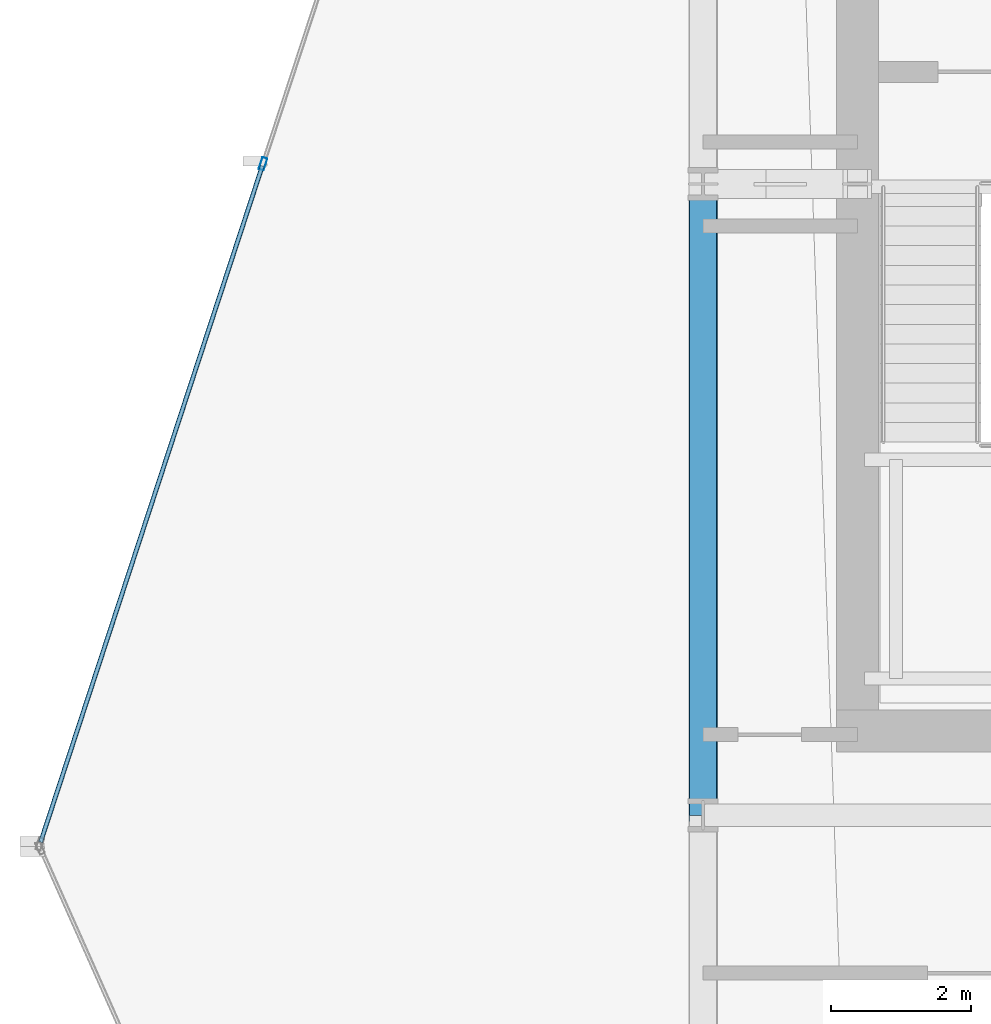
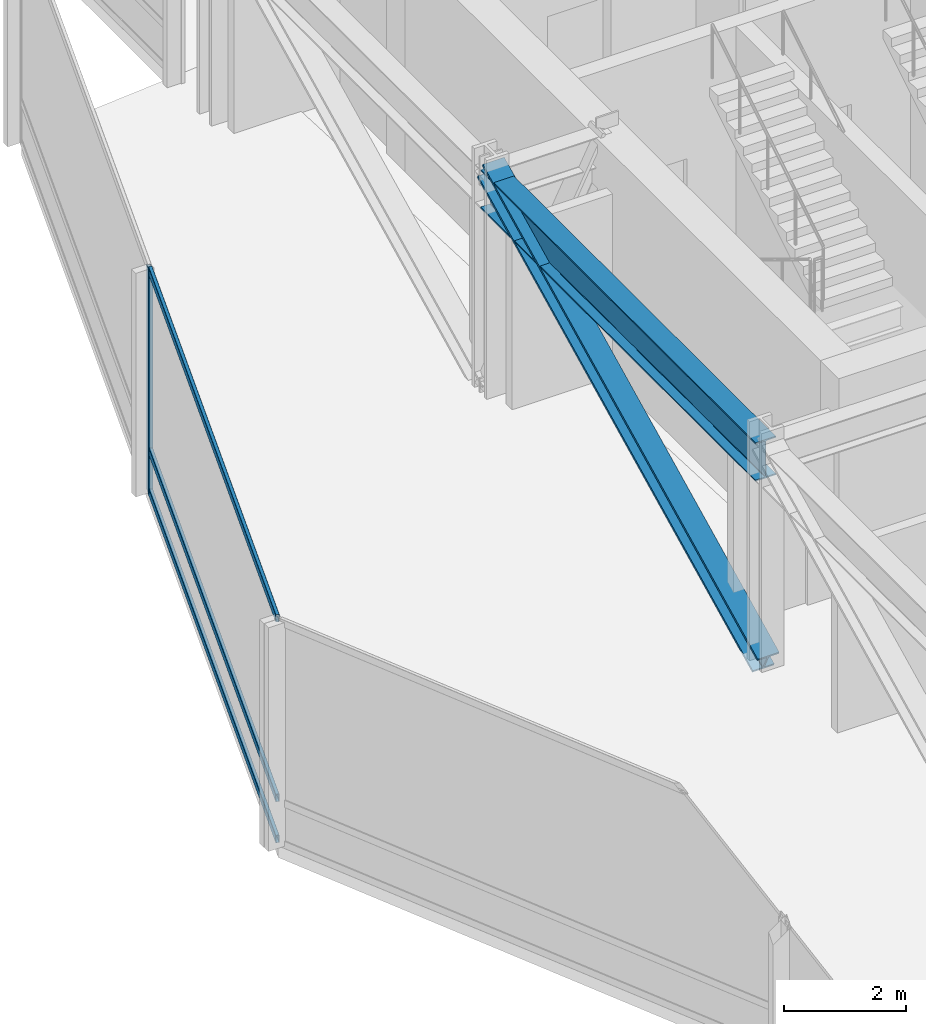
# One storey, part 19 of 42: 5 members, 1 beam, 1 element without a shape of its own.
"""IFC4 building model written with IfcOpenShell, lengths in metres."""

from ifc_helpers import new_model, si_unit, direction, frame, origin, origin_2d, place, context, subcontext, project, spatial, hollow_rectangle, i_section, extrude, material, layer, layer_set, material_profile, profile_set, type_object, element, aggregate, save


model = new_model("IFC4")

# Units and contexts
model_context = context("Model", 3, precision=1e-05, world=origin(), true_north=direction((0.0, 1.0)))
body_context = subcontext(model_context, "Body", "Model", "MODEL_VIEW")
ifc_project = project(units=[si_unit("LENGTHUNIT", "METRE"), si_unit("AREAUNIT", "SQUARE_METRE"), si_unit("VOLUMEUNIT", "CUBIC_METRE"), si_unit("PLANEANGLEUNIT", "RADIAN"), si_unit("MASSUNIT", "GRAM", prefix="KILO")], contexts=[model_context])

# Site, building, storey
site_placement = place(None, origin())
site = spatial("IfcSite", under=ifc_project, at=site_placement, CompositionType="ELEMENT")
building_placement = place(site_placement, origin())
building = spatial("IfcBuilding", under=site, at=building_placement, Name="Solvaryn Broadcast Tower", CompositionType="ELEMENT")
storey_placement = place(building_placement, frame((0.0, 0.0, 100.199951171875)))
storey = spatial("IfcBuildingStorey", under=building, at=storey_placement, Name="L24", CompositionType="ELEMENT", Elevation=100.199951171875)

# Beam
ifc_material_1 = material(Name="Steel ASTM A992 Grade 50", Category="steel")
ifc_material_profile_1 = material_profile(ifc_material_1, i_section(OverallWidth=0.381103515625, OverallDepth=0.77294921875, WebThickness=0.0166015625, FlangeThickness=0.027099609375, FilletRadius=0.01806640625, at=origin_2d()))
ifc_profile_set_1 = profile_set([ifc_material_profile_1], Name="Steel ASTM A992 Grade 50")
beam_type = type_object("IfcBeamType", Name="BM-SP1-W30X173", PredefinedType="USERDEFINED", material=ifc_profile_set_1)
beam_placement = place(storey_placement, frame((9.0, 27.0, 4.08349609375), z_axis=(0.0, 1.0, 0.0), x_axis=(-1.0, 0.0, 0.0)))
element("IfcBeam", 1, at=beam_placement, inside=storey, type_object=beam_type, Name="L24 Spandrel Beam Y (27-36 @ X=9)", ObjectType="SPANDREL", PredefinedType="USERDEFINED", context=body_context, shape_type="SweptSolid", body=[
    extrude(i_section(OverallWidth=0.381103515625, OverallDepth=0.77294921875, WebThickness=0.0166015625, FlangeThickness=0.027099609375, FilletRadius=0.01806640625, at=origin_2d()), origin(), (0.0, 0.0, 1.0), 9.0),
])

# Curtain wall, members
ifc_material_2 = material(Name="Aluminium and Terracotta Unitised Curtain Wall", Category="masonry")
ifc_layer = layer(ifc_material_2, 0.199951171875)
ifc_layer_set = layer_set([ifc_layer], Name="CW-SYS2-LOWMID")
curtain_wall_type = type_object("IfcCurtainWallType", Name="CW-SYS2-LOWMID", PredefinedType="NOTDEFINED", material=ifc_layer_set)
curtain_wall_placement = place(storey_placement, origin())
curtain_wall = element("IfcCurtainWall", 2, at=curtain_wall_placement, inside=storey, type_object=curtain_wall_type, Name="L24 Curtain Wall DR1", PredefinedType="NOTDEFINED")
ifc_material_3 = material(Name="Anodised Aluminium 6063-T6", Category="aluminium")
ifc_material_profile_2 = material_profile(ifc_material_3, hollow_rectangle(XDim=0.074951171875, YDim=0.179931640625, WallThickness=0.00390625, InnerFilletRadius=0.00390625, OuterFilletRadius=0.008056640625, at=origin_2d()))
ifc_profile_set_2 = profile_set([ifc_material_profile_2], Name="Anodised Aluminium 6063-T6")
member_type_1 = type_object("IfcMemberType", Name="CW-MUL-180", PredefinedType="MULLION", material=ifc_profile_set_2)
member_1_placement = place(storey_placement, frame((2.72607421875, 36.2880859375, 0.0), z_axis=(0.0, 0.0, 1.0), x_axis=(0.950215318429, -0.311594044587, 0.0)))
member_1 = element("IfcMember", 3, at=member_1_placement, type_object=member_type_1, Name="CWS2 mullion 2", PredefinedType="MULLION", context=body_context, shape_type="SweptSolid", body=[
    extrude(hollow_rectangle(XDim=0.074951171875, YDim=0.179931640625, WallThickness=0.00390625, InnerFilletRadius=0.00390625, OuterFilletRadius=0.008056640625, at=origin_2d()), origin(), (0.0, 0.0, 1.0), 4.469970703125),
])
ifc_material_4 = material(Name="Anodised Aluminium 6063-T6", Category="aluminium")
ifc_material_profile_3 = material_profile(ifc_material_4, hollow_rectangle(XDim=0.06494140625, YDim=0.14990234375, WallThickness=0.00390625, InnerFilletRadius=0.00390625, OuterFilletRadius=0.008056640625, at=origin_2d()))
ifc_profile_set_3 = profile_set([ifc_material_profile_3], Name="Anodised Aluminium 6063-T6")
member_type_2 = type_object("IfcMemberType", Name="CW-TRN-150", PredefinedType="USERDEFINED", material=ifc_profile_set_3)
member_2_placement = place(storey_placement, frame((2.716552734375, 36.259521484375, 0.030029296875), z_axis=(-0.311583076016, -0.950218915167, 0.0), x_axis=(0.950218915167, -0.311583076016, 0.0)))
member_2 = element("IfcMember", 4, at=member_2_placement, type_object=member_type_2, Name="CWS2 transom 2.1", ObjectType="TRANSOM", PredefinedType="USERDEFINED", context=body_context, shape_type="SweptSolid", body=[
    extrude(hollow_rectangle(XDim=0.06494140625, YDim=0.14990234375, WallThickness=0.00390625, InnerFilletRadius=0.00390625, OuterFilletRadius=0.008056640625, at=origin_2d()), origin(), (0.0, 0.0, 1.0), 10.147705078125),
])
member_3_placement = place(storey_placement, frame((2.716552734375, 36.259521484375, 0.85009765625), z_axis=(-0.311583076016, -0.950218915167, 0.0), x_axis=(0.950218915167, -0.311583076016, 0.0)))
member_3 = element("IfcMember", 5, at=member_3_placement, type_object=member_type_2, Name="CWS2 transom 2.2", ObjectType="TRANSOM", PredefinedType="USERDEFINED", context=body_context, shape_type="SweptSolid", body=[
    extrude(hollow_rectangle(XDim=0.06494140625, YDim=0.14990234375, WallThickness=0.00390625, InnerFilletRadius=0.00390625, OuterFilletRadius=0.008056640625, at=origin_2d()), origin(), (0.0, 0.0, 1.0), 10.147705078125),
])
member_4_placement = place(storey_placement, frame((2.716552734375, 36.259521484375, 4.43994140625), z_axis=(-0.311583076016, -0.950218915167, 0.0), x_axis=(0.950218915167, -0.311583076016, 0.0)))
member_4 = element("IfcMember", 6, at=member_4_placement, type_object=member_type_2, Name="CWS2 transom 2.3", ObjectType="TRANSOM", PredefinedType="USERDEFINED", context=body_context, shape_type="SweptSolid", body=[
    extrude(hollow_rectangle(XDim=0.06494140625, YDim=0.14990234375, WallThickness=0.00390625, InnerFilletRadius=0.00390625, OuterFilletRadius=0.008056640625, at=origin_2d()), origin(), (0.0, 0.0, 1.0), 10.147705078125),
])
aggregate(curtain_wall, [member_1, member_2, member_3, member_4])

# Member
ifc_material_5 = material(Name="Steel ASTM A913 Grade 65", Category="steel")
ifc_material_profile_4 = material_profile(ifc_material_5, i_section(OverallWidth=0.406005859375, OverallDepth=0.416015625, WebThickness=0.02978515625, FlangeThickness=0.048095703125, FilletRadius=0.014892578125, at=origin_2d()))
ifc_profile_set_4 = profile_set([ifc_material_profile_4], Name="Steel ASTM A913 Grade 65")
member_type_3 = type_object("IfcMemberType", Name="MB-BELT-1", PredefinedType="BRACE", material=ifc_profile_set_4)
member_5_placement = place(storey_placement, frame((9.0, 27.0, 0.02001953125), z_axis=(0.0, 0.897203761247, 0.441616814449), x_axis=(-1.0, 0.0, 0.0)))
element("IfcMember", 7, at=member_5_placement, inside=storey, type_object=member_type_3, Name="L24 West Belt Diagonal 4", PredefinedType="BRACE", context=body_context, shape_type="SweptSolid", body=[
    extrude(i_section(OverallWidth=0.406005859375, OverallDepth=0.416015625, WebThickness=0.02978515625, FlangeThickness=0.048095703125, FilletRadius=0.014892578125, at=origin_2d()), origin(), (0.0, 0.0, 1.0), 10.03125),
])

save(model, "model.ifc")
